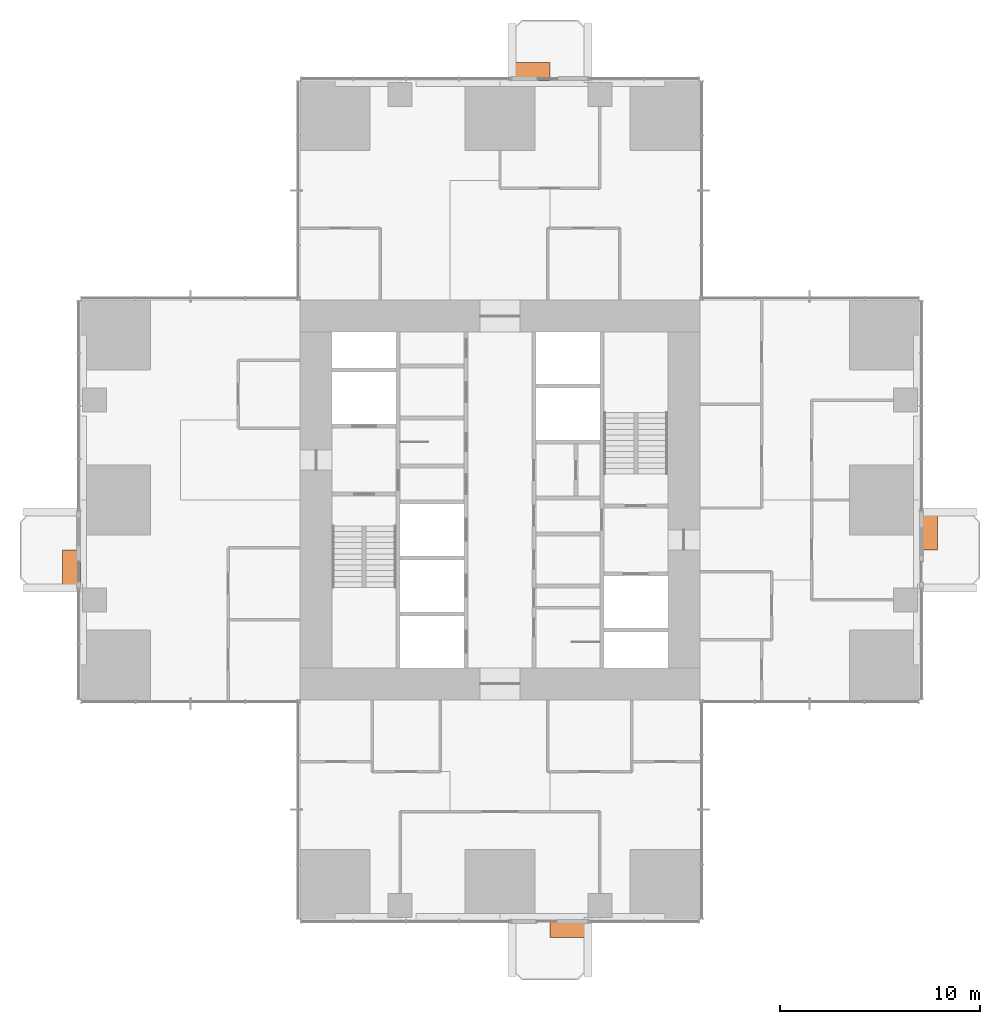
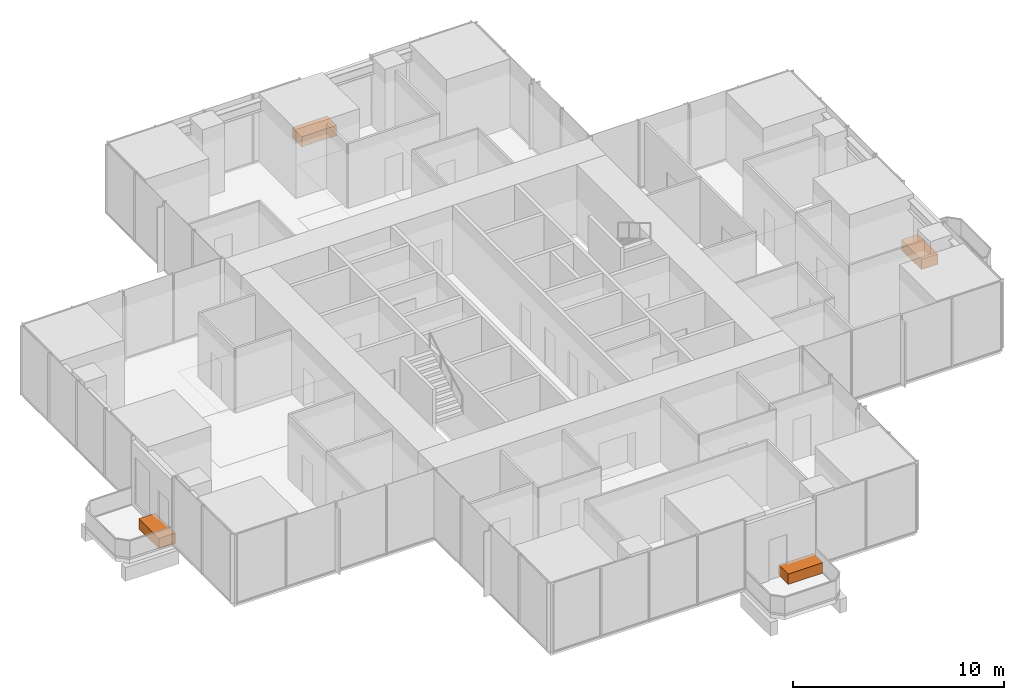
# One storey, part 13 of 13: 4 proxies.
"""IFC4 building model written with IfcOpenShell, lengths in metres."""

from ifc_helpers import new_model, si_unit, direction, frame, origin, origin_2d, place, context, subcontext, project, spatial, rectangle, extrude, element, save


model = new_model("IFC4")

# Units and contexts
model_context = context("Model", 3, precision=1e-05, world=origin(), true_north=direction((0.0, 1.0)))
body_context = subcontext(model_context, "Body", "Model", "MODEL_VIEW")
ifc_project = project(units=[si_unit("LENGTHUNIT", "METRE"), si_unit("AREAUNIT", "SQUARE_METRE"), si_unit("VOLUMEUNIT", "CUBIC_METRE"), si_unit("PLANEANGLEUNIT", "RADIAN"), si_unit("MASSUNIT", "GRAM", prefix="KILO")], contexts=[model_context])

# Site, building, storey
site_placement = place(None, origin())
site = spatial("IfcSite", under=ifc_project, at=site_placement, CompositionType="ELEMENT")
building_placement = place(site_placement, origin())
building = spatial("IfcBuilding", under=site, at=building_placement, Name="Svetlomir Tower", CompositionType="ELEMENT")
storey_placement = place(building_placement, frame((0.0, 0.0, 96.5)))
storey = spatial("IfcBuildingStorey", under=building, at=storey_placement, Name="L22", CompositionType="ELEMENT", Elevation=96.5)

# Proxies
proxy_1_placement = place(storey_placement, frame((24.449951171875, -0.449951171875, 0.0400390625), z_axis=(0.0, 0.0, 1.0), x_axis=(1.0, 0.0, 0.0)))
element("IfcBuildingElementProxy", 1, at=proxy_1_placement, inside=storey, Name="Tree planter S L22", ObjectType="PLANTER", PredefinedType="USERDEFINED", context=body_context, shape_type="SweptSolid", body=[
    extrude(rectangle(XDim=1.89990234375, YDim=0.89990234375, at=origin_2d()), origin(), (0.0, 0.0, 1.0), 0.60009765625),
])
proxy_2_placement = place(storey_placement, frame((42.449951171875, 19.449951171875, 0.0400390625), z_axis=(0.0, 0.0, 1.0), x_axis=(1.0, 0.0, 0.0)))
element("IfcBuildingElementProxy", 2, at=proxy_2_placement, inside=storey, Name="Tree planter E L22", ObjectType="PLANTER", PredefinedType="USERDEFINED", context=body_context, shape_type="SweptSolid", body=[
    extrude(rectangle(XDim=0.89990234375, YDim=1.89990234375, at=origin_2d()), origin(), (0.0, 0.0, 1.0), 0.60009765625),
])
proxy_3_placement = place(storey_placement, frame((22.550048828125, 42.449951171875, 0.0400390625), z_axis=(0.0, 0.0, 1.0), x_axis=(1.0, 0.0, 0.0)))
element("IfcBuildingElementProxy", 3, at=proxy_3_placement, inside=storey, Name="Tree planter N L22", ObjectType="PLANTER", PredefinedType="USERDEFINED", context=body_context, shape_type="SweptSolid", body=[
    extrude(rectangle(XDim=1.89990234375, YDim=0.89990234375, at=origin_2d()), origin(), (0.0, 0.0, 1.0), 0.60009765625),
])
proxy_4_placement = place(storey_placement, frame((-0.449951171875, 17.550048828125, 0.0400390625), z_axis=(0.0, 0.0, 1.0), x_axis=(1.0, 0.0, 0.0)))
element("IfcBuildingElementProxy", 4, at=proxy_4_placement, inside=storey, Name="Tree planter W L22", ObjectType="PLANTER", PredefinedType="USERDEFINED", context=body_context, shape_type="SweptSolid", body=[
    extrude(rectangle(XDim=0.89990234375, YDim=1.89990234375, at=origin_2d()), origin(), (0.0, 0.0, 1.0), 0.60009765625),
])

save(model, "model.ifc")
